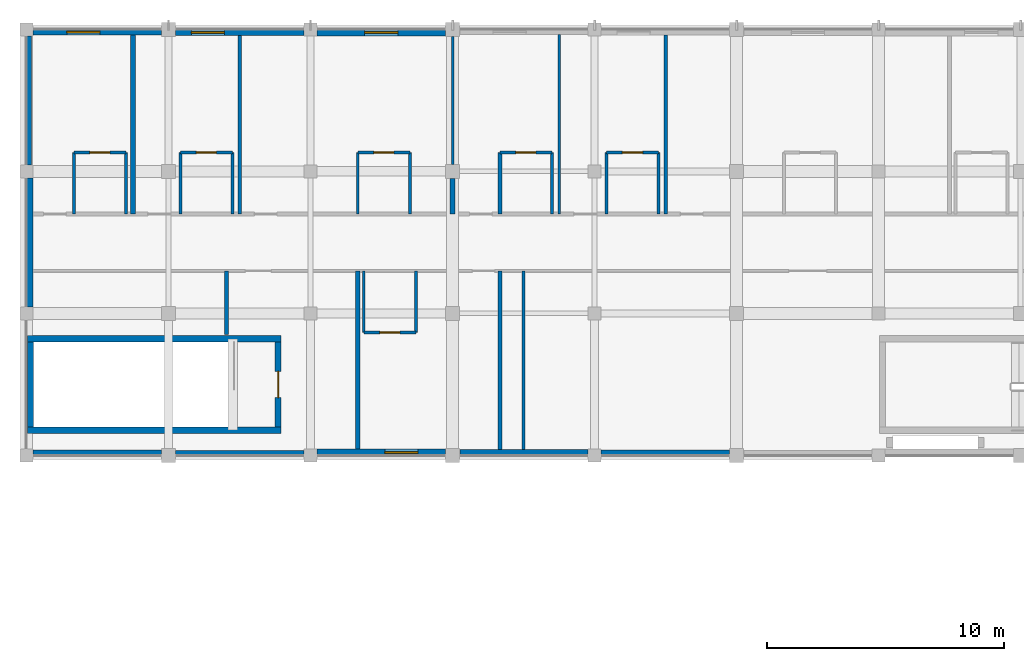
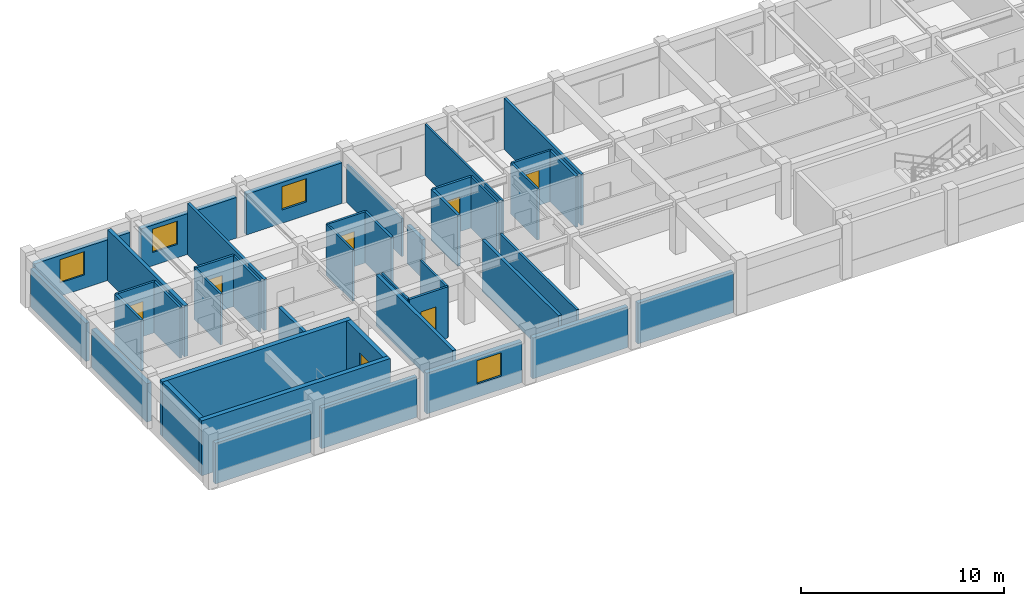
# One storey, part 8 of 21: 42 walls, 7 doors, 4 windows, 11 openings.
"""IFC4 building model written with IfcOpenShell, lengths in metres."""

from ifc_helpers import new_model, si_unit, direction, frame, frame_2d, origin, place, context, subcontext, project, spatial, rectangle, extrude, material, layer, layer_set, type_object, element, fill, save


model = new_model("IFC4")

# Units and contexts
model_context = context("Model", 3, precision=1e-05, world=origin(), true_north=direction((0.0, 1.0)))
body_context = subcontext(model_context, "Body", "Model", "MODEL_VIEW")
ifc_project = project(units=[si_unit("LENGTHUNIT", "METRE"), si_unit("AREAUNIT", "SQUARE_METRE"), si_unit("VOLUMEUNIT", "CUBIC_METRE"), si_unit("PLANEANGLEUNIT", "RADIAN"), si_unit("MASSUNIT", "GRAM", prefix="KILO"), si_unit("THERMODYNAMICTEMPERATUREUNIT", "KELVIN"), si_unit("POWERUNIT", "WATT")], contexts=[model_context])

# Site, building, storey
site_placement = place(None, origin())
site = spatial("IfcSite", under=ifc_project, at=site_placement, CompositionType="ELEMENT")
building_placement = place(site_placement, origin())
building = spatial("IfcBuilding", under=site, at=building_placement, Name="Phaisarnlok Congress Hotel", CompositionType="ELEMENT")
storey_placement = place(building_placement, frame((0.0, 0.0, 34.800048828125)))
storey = spatial("IfcBuildingStorey", under=building, at=storey_placement, Name="L08", CompositionType="ELEMENT", Elevation=34.800048828125)

# Walls
ifc_material_1 = material(Name="Concrete C40/50", Category="concrete")
ifc_layer_1 = layer(ifc_material_1, 0.2099609375, Name="Concrete C40/50")
ifc_layer_set_1 = layer_set([ifc_layer_1], Name="Concrete C40/50")
wall_type_1 = type_object("IfcWallType", Name="WL-EXT-210", PredefinedType="SOLIDWALL", material=ifc_layer_set_1)
wall_1_placement = place(storey_placement, frame((66.10498046875, 125.719970703125, 0.0), z_axis=(0.0, 0.0, 1.0), x_axis=(0.0, -1.0, 0.0)))
element("IfcWall", 1, at=wall_1_placement, inside=storey, type_object=wall_type_1, Name="Exterior wall EW-07 (L08)", PredefinedType="SOLIDWALL", context=body_context, shape_type="SweptSolid", body=[
    extrude(rectangle(XDim=5.43994140625, YDim=0.2099609375, at=frame_2d((2.719970703125, 0.0))), origin(), (0.0, 0.0, 1.0), 2.294921875),
])
wall_2_placement = place(storey_placement, frame((72.304931640625, 108.10498046875, 0.0), z_axis=(0.0, 0.0, 1.0), x_axis=(1.0, 0.0, 0.0)))
element("IfcWall", 2, at=wall_2_placement, inside=storey, type_object=wall_type_1, Name="Exterior wall EW-07 (L08)", PredefinedType="SOLIDWALL", context=body_context, shape_type="SweptSolid", body=[
    extrude(rectangle(XDim=5.4150390625, YDim=0.2099609375, at=frame_2d((2.70751953125, 0.0))), origin(), (0.0, 0.0, 1.0), 2.445068359375),
])

# Wall, opening, window
ifc_layer_2 = layer(ifc_material_1, 0.22998046875, Name="Concrete C40/50")
ifc_layer_set_2 = layer_set([ifc_layer_2], Name="Concrete C40/50")
wall_type_2 = type_object("IfcWallType", Name="WL-EXT-230", PredefinedType="SOLIDWALL", material=ifc_layer_set_2)
wall_3_placement = place(storey_placement, frame((71.695068359375, 125.885009765625, 0.0), z_axis=(0.0, 0.0, 1.0), x_axis=(-1.0, 0.0, 0.0)))
wall_3 = element("IfcWall", 3, at=wall_3_placement, inside=storey, type_object=wall_type_2, Name="Exterior wall EW-06 (L08)", PredefinedType="SOLIDWALL", context=body_context, shape_type="SweptSolid", body=[
    extrude(rectangle(XDim=5.4150390625, YDim=0.22998046875, at=frame_2d((2.70751953125, 0.0))), origin(), (0.0, 0.0, 1.0), 2.445068359375),
])
opening_1_placement = place(wall_3_placement, frame((2.594970703125, 0.0, 0.800048828125)))
opening_1 = element("IfcOpeningElement", 4, at=opening_1_placement, cuts=wall_3, Name="Opening W-13", PredefinedType="OPENING", context=body_context, shape_type="SweptSolid", body=[
    extrude(rectangle(XDim=1.39990234375, YDim=1.39990234375, at=frame_2d((0.699951171875, 0.699951171875))), frame((0.0, 0.125, 0.0), z_axis=(0.0, -1.0, 0.0), x_axis=(1.0, 0.0, 0.0)), (0.0, 0.0, 1.0), 0.25),
])
ifc_material_2 = material(Name="Thermally Broken Aluminium & Low-E Double Glazing", Category="aluminium")
window_type = type_object("IfcWindowType", Name="WIN-POD-1400", PartitioningType="SINGLE_PANEL", PredefinedType="WINDOW", material=ifc_material_2)
window_1_placement = place(opening_1_placement, origin())
window_1 = element("IfcWindow", 5, at=window_1_placement, inside=storey, type_object=window_type, Name="Guestroom window W-13 (L08)", OverallHeight=1.39990234375, OverallWidth=1.39990234375, PartitioningType="SINGLE_PANEL", PredefinedType="WINDOW", context=body_context, shape_type="SweptSolid", body=[
    extrude(rectangle(XDim=1.39990234375, YDim=1.39990234375, at=frame_2d((0.699951171875, 0.699951171875))), frame((0.0, 0.030029296875, 0.0), z_axis=(0.0, -1.0, 0.0), x_axis=(1.0, 0.0, 0.0)), (0.0, 0.0, 1.0), 0.06005859375),
])
fill(opening_1, window_1)

# Walls
for number, where, z_axis, x_axis, name in (
    (6, (66.280029296875, 108.114990234375, 0.0), (0.0, 0.0, 1.0), (1.0, 0.0, 0.0), "Exterior wall EW-06 (L08)"),
    (7, (90.280029296875, 108.114990234375, 0.0), (0.0, 0.0, 1.0), (1.0, 0.0, 0.0), "Exterior wall EW-06 (L08)"),
):
    element("IfcWall", number, at=place(storey_placement, frame(where, z_axis=z_axis, x_axis=x_axis)), inside=storey, type_object=wall_type_2, Name=name, PredefinedType="SOLIDWALL", context=body_context, shape_type="SweptSolid", body=[
        extrude(rectangle(XDim=5.4150390625, YDim=0.22998046875, at=frame_2d((2.70751953125, 0.0))), origin(), (0.0, 0.0, 1.0), 2.445068359375),
    ])

# Wall, opening, window
ifc_layer_3 = layer(ifc_material_1, 0.25, Name="Concrete C40/50")
ifc_layer_set_3 = layer_set([ifc_layer_3], Name="Concrete C40/50")
wall_type_3 = type_object("IfcWallType", Name="WL-EXT-250", PredefinedType="SOLIDWALL", material=ifc_layer_set_3)
wall_4_placement = place(storey_placement, frame((77.719970703125, 125.875, 0.0), z_axis=(0.0, 0.0, 1.0), x_axis=(-1.0, 0.0, 0.0)))
wall_4 = element("IfcWall", 8, at=wall_4_placement, inside=storey, type_object=wall_type_3, Name="Exterior wall EW-05 (L08)", PredefinedType="SOLIDWALL", context=body_context, shape_type="SweptSolid", body=[
    extrude(rectangle(XDim=5.4150390625, YDim=0.25, at=frame_2d((2.70751953125, 0.0))), origin(), (0.0, 0.0, 1.0), 2.445068359375),
])
opening_2_placement = place(wall_4_placement, frame((3.35791015625, 0.0, 0.800048828125)))
opening_2 = element("IfcOpeningElement", 9, at=opening_2_placement, cuts=wall_4, Name="Opening W-13", PredefinedType="OPENING", context=body_context, shape_type="SweptSolid", body=[
    extrude(rectangle(XDim=1.39990234375, YDim=1.39990234375, at=frame_2d((0.699951171875, 0.699951171875))), frame((0.0, 0.135009765625, 0.0), z_axis=(0.0, -1.0, 0.0), x_axis=(1.0, 0.0, 0.0)), (0.0, 0.0, 1.0), 0.27001953125),
])
window_2_placement = place(opening_2_placement, origin())
window_2 = element("IfcWindow", 10, at=window_2_placement, inside=storey, type_object=window_type, Name="Guestroom window W-13 (L08)", OverallHeight=1.39990234375, OverallWidth=1.39990234375, PartitioningType="SINGLE_PANEL", PredefinedType="WINDOW", context=body_context, shape_type="SweptSolid", body=[
    extrude(rectangle(XDim=1.39990234375, YDim=1.39990234375, at=frame_2d((0.699951171875, 0.699951171875))), frame((0.0, 0.030029296875, 0.0), z_axis=(0.0, -1.0, 0.0), x_axis=(1.0, 0.0, 0.0)), (0.0, 0.0, 1.0), 0.06005859375),
])
fill(opening_2, window_2)

# Wall
wall_5_placement = place(storey_placement, frame((84.304931640625, 108.125, 0.0), z_axis=(0.0, 0.0, 1.0), x_axis=(1.0, 0.0, 0.0)))
element("IfcWall", 11, at=wall_5_placement, inside=storey, type_object=wall_type_3, Name="Exterior wall EW-05 (L08)", PredefinedType="SOLIDWALL", context=body_context, shape_type="SweptSolid", body=[
    extrude(rectangle(XDim=5.4150390625, YDim=0.25, at=frame_2d((2.70751953125, 0.0))), origin(), (0.0, 0.0, 1.0), 2.445068359375),
])

# Wall, opening, window
ifc_layer_4 = layer(ifc_material_1, 0.27001953125, Name="Concrete C40/50")
ifc_layer_set_4 = layer_set([ifc_layer_4], Name="Concrete C40/50")
wall_type_4 = type_object("IfcWallType", Name="WL-EXT-270", PredefinedType="SOLIDWALL", material=ifc_layer_set_4)
wall_6_placement = place(storey_placement, frame((83.695068359375, 125.864990234375, 0.0), z_axis=(0.0, 0.0, 1.0), x_axis=(-1.0, 0.0, 0.0)))
wall_6 = element("IfcWall", 12, at=wall_6_placement, inside=storey, type_object=wall_type_4, Name="Exterior wall EW-04 (L08)", PredefinedType="SOLIDWALL", context=body_context, shape_type="SweptSolid", body=[
    extrude(rectangle(XDim=5.4150390625, YDim=0.27001953125, at=frame_2d((2.70751953125, 0.0))), origin(), (0.0, 0.0, 1.0), 2.445068359375),
])
opening_3_placement = place(wall_6_placement, frame((2.007080078125, 0.0, 0.800048828125)))
opening_3 = element("IfcOpeningElement", 13, at=opening_3_placement, cuts=wall_6, Name="Opening W-13", PredefinedType="OPENING", context=body_context, shape_type="SweptSolid", body=[
    extrude(rectangle(XDim=1.39990234375, YDim=1.39990234375, at=frame_2d((0.699951171875, 0.699951171875))), frame((0.0, 0.14501953125, 0.0), z_axis=(0.0, -1.0, 0.0), x_axis=(1.0, 0.0, 0.0)), (0.0, 0.0, 1.0), 0.2900390625),
])
window_3_placement = place(opening_3_placement, origin())
window_3 = element("IfcWindow", 14, at=window_3_placement, inside=storey, type_object=window_type, Name="Guestroom window W-13 (L08)", OverallHeight=1.39990234375, OverallWidth=1.39990234375, PartitioningType="SINGLE_PANEL", PredefinedType="WINDOW", context=body_context, shape_type="SweptSolid", body=[
    extrude(rectangle(XDim=1.39990234375, YDim=1.39990234375, at=frame_2d((0.699951171875, 0.699951171875))), frame((0.0, 0.030029296875, 0.0), z_axis=(0.0, -1.0, 0.0), x_axis=(1.0, 0.0, 0.0)), (0.0, 0.0, 1.0), 0.06005859375),
])
fill(opening_3, window_3)

# Wall
wall_7_placement = place(storey_placement, frame((66.135009765625, 119.719970703125, 0.0), z_axis=(0.0, 0.0, 1.0), x_axis=(0.0, -1.0, 0.0)))
element("IfcWall", 15, at=wall_7_placement, inside=storey, type_object=wall_type_4, Name="Exterior wall EW-04 (L08)", PredefinedType="SOLIDWALL", context=body_context, shape_type="SweptSolid", body=[
    extrude(rectangle(XDim=5.43994140625, YDim=0.27001953125, at=frame_2d((2.719970703125, 0.0))), origin(), (0.0, 0.0, 1.0), 2.294921875),
])

# Wall, opening, window
wall_8_placement = place(storey_placement, frame((78.280029296875, 108.135009765625, 0.0), z_axis=(0.0, 0.0, 1.0), x_axis=(1.0, 0.0, 0.0)))
wall_8 = element("IfcWall", 16, at=wall_8_placement, inside=storey, type_object=wall_type_4, Name="Exterior wall EW-04 (L08)", PredefinedType="SOLIDWALL", context=body_context, shape_type="SweptSolid", body=[
    extrude(rectangle(XDim=5.4150390625, YDim=0.27001953125, at=frame_2d((2.70751953125, 0.0))), origin(), (0.0, 0.0, 1.0), 2.445068359375),
])
opening_4_placement = place(wall_8_placement, frame((2.85791015625, 0.0, 0.800048828125)))
opening_4 = element("IfcOpeningElement", 17, at=opening_4_placement, cuts=wall_8, Name="Opening W-13", PredefinedType="OPENING", context=body_context, shape_type="SweptSolid", body=[
    extrude(rectangle(XDim=1.39990234375, YDim=1.39990234375, at=frame_2d((0.699951171875, 0.699951171875))), frame((0.0, 0.14501953125, 0.0), z_axis=(0.0, -1.0, 0.0), x_axis=(1.0, 0.0, 0.0)), (0.0, 0.0, 1.0), 0.2900390625),
])
window_4_placement = place(opening_4_placement, origin())
window_4 = element("IfcWindow", 18, at=window_4_placement, inside=storey, type_object=window_type, Name="Guestroom window W-13 (L08)", OverallHeight=1.39990234375, OverallWidth=1.39990234375, PartitioningType="SINGLE_PANEL", PredefinedType="WINDOW", context=body_context, shape_type="SweptSolid", body=[
    extrude(rectangle(XDim=1.39990234375, YDim=1.39990234375, at=frame_2d((0.699951171875, 0.699951171875))), frame((0.0, 0.030029296875, 0.0), z_axis=(0.0, -1.0, 0.0), x_axis=(1.0, 0.0, 0.0)), (0.0, 0.0, 1.0), 0.06005859375),
])
fill(opening_4, window_4)

# Walls
ifc_material_3 = material(Name="Service Riser Shaftwall Partition", Category="gypsum")
ifc_layer_5 = layer(ifc_material_3, 0.10498046875, Name="Service Riser Shaftwall Partition")
ifc_layer_set_5 = layer_set([ifc_layer_5], Name="Service Riser Shaftwall Partition")
wall_type_5 = type_object("IfcWallType", Name="WL-INT-105", PredefinedType="PARTITIONING", material=ifc_layer_set_5)
wall_9_placement = place(storey_placement, frame((80.0, 118.199951171875, 0.0), z_axis=(0.0, 0.0, 1.0), x_axis=(0.0, 1.0, 0.0)))
element("IfcWall", 19, at=wall_9_placement, inside=storey, type_object=wall_type_5, Name="Interior partition wall IW-08 (L08)", PredefinedType="PARTITIONING", context=body_context, shape_type="SweptSolid", body=[
    extrude(rectangle(XDim=2.60009765625, YDim=0.10498046875, at=frame_2d((1.300048828125, 0.0))), origin(), (0.0, 0.0, 1.0), 3.070068359375),
])
wall_10_placement = place(storey_placement, frame((84.0, 120.304931640625, 0.0), z_axis=(0.0, 0.0, 1.0), x_axis=(0.0, 1.0, 0.0)))
element("IfcWall", 20, at=wall_10_placement, inside=storey, type_object=wall_type_5, Name="Interior partition wall IW-08 (L08)", PredefinedType="PARTITIONING", context=body_context, shape_type="SweptSolid", body=[
    extrude(rectangle(XDim=5.39013671875, YDim=0.10498046875, at=frame_2d((2.695068359375, 0.0))), origin(), (0.0, 0.0, 1.0), 2.294921875),
])
wall_11_placement = place(storey_placement, frame((88.5, 118.199951171875, 0.0), z_axis=(0.0, 0.0, 1.0), x_axis=(0.0, 1.0, 0.0)))
element("IfcWall", 21, at=wall_11_placement, inside=storey, type_object=wall_type_5, Name="Interior partition wall IW-08 (L08)", PredefinedType="PARTITIONING", context=body_context, shape_type="SweptSolid", body=[
    extrude(rectangle(XDim=7.5849609375, YDim=0.10498046875, at=frame_2d((3.79248046875, 0.0))), origin(), (0.0, 0.0, 1.0), 3.070068359375),
])
ifc_material_4 = material(Name="Lightweight Metal-Stud Gypsum Partition", Category="gypsum")
ifc_layer_6 = layer(ifc_material_4, 0.1201171875, Name="Lightweight Metal-Stud Gypsum Partition")
ifc_layer_set_6 = layer_set([ifc_layer_6], Name="Lightweight Metal-Stud Gypsum Partition")
wall_type_6 = type_object("IfcWallType", Name="WL-INT-120", PredefinedType="PARTITIONING", material=ifc_layer_set_6)
for number, where, z_axis, x_axis, name in (
    (22, (70.199951171875, 118.199951171875, 0.0), (0.0, 0.0, 1.0), (0.0, 1.0, 0.0), "Interior partition wall IW-07 (L08)"),
    (23, (72.5, 118.199951171875, 0.0), (0.0, 0.0, 1.0), (0.0, 1.0, 0.0), "Interior partition wall IW-07 (L08)"),
    (24, (74.699951171875, 118.199951171875, 0.0), (0.0, 0.0, 1.0), (0.0, 1.0, 0.0), "Interior partition wall IW-07 (L08)"),
    (25, (80.25, 113.199951171875, 0.0), (0.0, 0.0, 1.0), (0.0, 1.0, 0.0), "Interior partition wall IW-07 (L08)"),
    (26, (82.449951171875, 113.199951171875, 0.0), (0.0, 0.0, 1.0), (0.0, 1.0, 0.0), "Interior partition wall IW-07 (L08)"),
    (27, (88.199951171875, 118.199951171875, 0.0), (0.0, 0.0, 1.0), (0.0, 1.0, 0.0), "Interior partition wall IW-07 (L08)"),
    (28, (90.5, 118.199951171875, 0.0), (0.0, 0.0, 1.0), (0.0, 1.0, 0.0), "Interior partition wall IW-07 (L08)"),
):
    element("IfcWall", number, at=place(storey_placement, frame(where, z_axis=z_axis, x_axis=x_axis)), inside=storey, type_object=wall_type_6, Name=name, PredefinedType="PARTITIONING", context=body_context, shape_type="SweptSolid", body=[
        extrude(rectangle(XDim=2.60009765625, YDim=0.1201171875, at=frame_2d((1.300048828125, 0.0))), origin(), (0.0, 0.0, 1.0), 3.070068359375),
    ])

# Wall, opening, door
wall_12_placement = place(storey_placement, frame((68.0, 120.800048828125, 0.0), z_axis=(0.0, 0.0, 1.0), x_axis=(1.0, 0.0, 0.0)))
wall_12 = element("IfcWall", 29, at=wall_12_placement, inside=storey, type_object=wall_type_6, Name="Interior partition wall IW-07 (L08)", PredefinedType="PARTITIONING", context=body_context, shape_type="SweptSolid", body=[
    extrude(rectangle(XDim=2.199951171875, YDim=0.1201171875, at=frame_2d((1.10009765625, 0.0))), origin(), (0.0, 0.0, 1.0), 3.070068359375),
])
opening_5_placement = place(wall_12_placement, frame((0.675048828125, 0.0, 0.0)))
opening_5 = element("IfcOpeningElement", 30, at=opening_5_placement, cuts=wall_12, Name="Opening D-0405", PredefinedType="OPENING", context=body_context, shape_type="SweptSolid", body=[
    extrude(rectangle(XDim=0.85009765625, YDim=2.10009765625, at=frame_2d((0.425048828125, 1.050048828125))), frame((0.0, 0.070068359375, 0.0), z_axis=(0.0, -1.0, 0.0), x_axis=(1.0, 0.0, 0.0)), (0.0, 0.0, 1.0), 0.14013671875),
])
ifc_material_5 = material(Name="Moisture-Resistant Lacquered Timber", Category="wood")
door_type_1 = type_object("IfcDoorType", Name="DR-BATH-850", OperationType="NOTDEFINED", PredefinedType="DOOR", material=ifc_material_5)
door_1_placement = place(opening_5_placement, origin())
door_1 = element("IfcDoor", 31, at=door_1_placement, inside=storey, type_object=door_type_1, Name="Interior door D-0405 (L08)", OperationType="SINGLE_SWING_RIGHT", OverallHeight=2.10009765625, OverallWidth=0.85009765625, PredefinedType="DOOR", context=body_context, shape_type="SweptSolid", body=[
    extrude(rectangle(XDim=0.85009765625, YDim=2.10009765625, at=frame_2d((0.425048828125, 1.050048828125))), frame((0.0, 0.02490234375, 0.0), z_axis=(0.0, -1.0, 0.0), x_axis=(1.0, 0.0, 0.0)), (0.0, 0.0, 1.0), 0.050048828125),
])
fill(opening_5, door_1)

wall_13_placement = place(storey_placement, frame((80.0, 120.800048828125, 0.0), z_axis=(0.0, 0.0, 1.0), x_axis=(1.0, 0.0, 0.0)))
wall_13 = element("IfcWall", 32, at=wall_13_placement, inside=storey, type_object=wall_type_6, Name="Interior partition wall IW-07 (L08)", PredefinedType="PARTITIONING", context=body_context, shape_type="SweptSolid", body=[
    extrude(rectangle(XDim=2.199951171875, YDim=0.1201171875, at=frame_2d((1.10009765625, 0.0))), origin(), (0.0, 0.0, 1.0), 3.070068359375),
])
opening_6_placement = place(wall_13_placement, frame((0.675048828125, 0.0, 0.0)))
opening_6 = element("IfcOpeningElement", 33, at=opening_6_placement, cuts=wall_13, Name="Opening D-0409", PredefinedType="OPENING", context=body_context, shape_type="SweptSolid", body=[
    extrude(rectangle(XDim=0.85009765625, YDim=2.10009765625, at=frame_2d((0.425048828125, 1.050048828125))), frame((0.0, 0.070068359375, 0.0), z_axis=(0.0, -1.0, 0.0), x_axis=(1.0, 0.0, 0.0)), (0.0, 0.0, 1.0), 0.14013671875),
])
door_2_placement = place(opening_6_placement, origin())
door_2 = element("IfcDoor", 34, at=door_2_placement, inside=storey, type_object=door_type_1, Name="Interior door D-0409 (L08)", OperationType="SINGLE_SWING_RIGHT", OverallHeight=2.10009765625, OverallWidth=0.85009765625, PredefinedType="DOOR", context=body_context, shape_type="SweptSolid", body=[
    extrude(rectangle(XDim=0.85009765625, YDim=2.10009765625, at=frame_2d((0.425048828125, 1.050048828125))), frame((0.0, 0.02490234375, 0.0), z_axis=(0.0, -1.0, 0.0), x_axis=(1.0, 0.0, 0.0)), (0.0, 0.0, 1.0), 0.050048828125),
])
fill(opening_6, door_2)

wall_14_placement = place(storey_placement, frame((90.5, 120.800048828125, 0.0), z_axis=(0.0, 0.0, 1.0), x_axis=(1.0, 0.0, 0.0)))
wall_14 = element("IfcWall", 35, at=wall_14_placement, inside=storey, type_object=wall_type_6, Name="Interior partition wall IW-07 (L08)", PredefinedType="PARTITIONING", context=body_context, shape_type="SweptSolid", body=[
    extrude(rectangle(XDim=2.199951171875, YDim=0.1201171875, at=frame_2d((1.10009765625, 0.0))), origin(), (0.0, 0.0, 1.0), 3.070068359375),
])
opening_7_placement = place(wall_14_placement, frame((0.675048828125, 0.0, 0.0)))
opening_7 = element("IfcOpeningElement", 36, at=opening_7_placement, cuts=wall_14, Name="Opening D-0413", PredefinedType="OPENING", context=body_context, shape_type="SweptSolid", body=[
    extrude(rectangle(XDim=0.85009765625, YDim=2.10009765625, at=frame_2d((0.425048828125, 1.050048828125))), frame((0.0, 0.070068359375, 0.0), z_axis=(0.0, -1.0, 0.0), x_axis=(1.0, 0.0, 0.0)), (0.0, 0.0, 1.0), 0.14013671875),
])
door_3_placement = place(opening_7_placement, origin())
door_3 = element("IfcDoor", 37, at=door_3_placement, inside=storey, type_object=door_type_1, Name="Interior door D-0413 (L08)", OperationType="SINGLE_SWING_RIGHT", OverallHeight=2.10009765625, OverallWidth=0.85009765625, PredefinedType="DOOR", context=body_context, shape_type="SweptSolid", body=[
    extrude(rectangle(XDim=0.85009765625, YDim=2.10009765625, at=frame_2d((0.425048828125, 1.050048828125))), frame((0.0, 0.02490234375, 0.0), z_axis=(0.0, -1.0, 0.0), x_axis=(1.0, 0.0, 0.0)), (0.0, 0.0, 1.0), 0.050048828125),
])
fill(opening_7, door_3)

# Walls
ifc_material_6 = material(Name="Moisture-Resistant Gypsum Partition", Category="gypsum")
ifc_layer_7 = layer(ifc_material_6, 0.135009765625, Name="Moisture-Resistant Gypsum Partition")
ifc_layer_set_7 = layer_set([ifc_layer_7], Name="Moisture-Resistant Gypsum Partition")
wall_type_7 = type_object("IfcWallType", Name="WL-INT-135", PredefinedType="PARTITIONING", material=ifc_layer_set_7)
for number, where, z_axis, x_axis, name in (
    (38, (68.0, 118.199951171875, 0.0), (0.0, 0.0, 1.0), (0.0, 1.0, 0.0), "Interior partition wall IW-06 (L08)"),
    (39, (82.199951171875, 118.199951171875, 0.0), (0.0, 0.0, 1.0), (0.0, 1.0, 0.0), "Interior partition wall IW-06 (L08)"),
):
    element("IfcWall", number, at=place(storey_placement, frame(where, z_axis=z_axis, x_axis=x_axis)), inside=storey, type_object=wall_type_7, Name=name, PredefinedType="PARTITIONING", context=body_context, shape_type="SweptSolid", body=[
        extrude(rectangle(XDim=2.60009765625, YDim=0.135009765625, at=frame_2d((1.300048828125, 0.0))), origin(), (0.0, 0.0, 1.0), 3.070068359375),
    ])
wall_15_placement = place(storey_placement, frame((87.0, 108.2548828125, 0.0), z_axis=(0.0, 0.0, 1.0), x_axis=(0.0, 1.0, 0.0)))
element("IfcWall", 40, at=wall_15_placement, inside=storey, type_object=wall_type_7, Name="Interior partition wall IW-06 (L08)", PredefinedType="PARTITIONING", context=body_context, shape_type="SweptSolid", body=[
    extrude(rectangle(XDim=7.545166015625, YDim=0.135009765625, at=frame_2d((3.7724609375, 0.0))), origin(), (0.0, 0.0, 1.0), 3.070068359375),
])
wall_16_placement = place(storey_placement, frame((92.699951171875, 118.199951171875, 0.0), z_axis=(0.0, 0.0, 1.0), x_axis=(0.0, 1.0, 0.0)))
element("IfcWall", 41, at=wall_16_placement, inside=storey, type_object=wall_type_7, Name="Interior partition wall IW-06 (L08)", PredefinedType="PARTITIONING", context=body_context, shape_type="SweptSolid", body=[
    extrude(rectangle(XDim=2.60009765625, YDim=0.135009765625, at=frame_2d((1.300048828125, 0.0))), origin(), (0.0, 0.0, 1.0), 3.070068359375),
])

# Wall, opening, door
wall_17_placement = place(storey_placement, frame((80.25, 113.199951171875, 0.0), z_axis=(0.0, 0.0, 1.0), x_axis=(1.0, 0.0, 0.0)))
wall_17 = element("IfcWall", 42, at=wall_17_placement, inside=storey, type_object=wall_type_7, Name="Interior partition wall IW-06 (L08)", PredefinedType="PARTITIONING", context=body_context, shape_type="SweptSolid", body=[
    extrude(rectangle(XDim=2.199951171875, YDim=0.135009765625, at=frame_2d((1.10009765625, 0.0))), origin(), (0.0, 0.0, 1.0), 3.070068359375),
])
opening_8_placement = place(wall_17_placement, frame((0.675048828125, 0.0, 0.0)))
opening_8 = element("IfcOpeningElement", 43, at=opening_8_placement, cuts=wall_17, Name="Opening D-0443", PredefinedType="OPENING", context=body_context, shape_type="SweptSolid", body=[
    extrude(rectangle(XDim=0.85009765625, YDim=2.10009765625, at=frame_2d((0.425048828125, 1.050048828125))), frame((0.0, 0.07763671875, 0.0), z_axis=(0.0, -1.0, 0.0), x_axis=(1.0, 0.0, 0.0)), (0.0, 0.0, 1.0), 0.155029296875),
])
door_4_placement = place(opening_8_placement, origin())
door_4 = element("IfcDoor", 44, at=door_4_placement, inside=storey, type_object=door_type_1, Name="Interior door D-0443 (L08)", OperationType="SINGLE_SWING_RIGHT", OverallHeight=2.10009765625, OverallWidth=0.85009765625, PredefinedType="DOOR", context=body_context, shape_type="SweptSolid", body=[
    extrude(rectangle(XDim=0.85009765625, YDim=2.10009765625, at=frame_2d((0.425048828125, 1.050048828125))), frame((0.0, 0.02490234375, 0.0), z_axis=(0.0, -1.0, 0.0), x_axis=(1.0, 0.0, 0.0)), (0.0, 0.0, 1.0), 0.050048828125),
])
fill(opening_8, door_4)

wall_18_placement = place(storey_placement, frame((72.5, 120.800048828125, 0.0), z_axis=(0.0, 0.0, 1.0), x_axis=(1.0, 0.0, 0.0)))
wall_18 = element("IfcWall", 45, at=wall_18_placement, inside=storey, type_object=wall_type_7, Name="Interior partition wall IW-06 (L08)", PredefinedType="PARTITIONING", context=body_context, shape_type="SweptSolid", body=[
    extrude(rectangle(XDim=2.199951171875, YDim=0.135009765625, at=frame_2d((1.10009765625, 0.0))), origin(), (0.0, 0.0, 1.0), 3.070068359375),
])
opening_9_placement = place(wall_18_placement, frame((0.675048828125, 0.0, 0.0)))
opening_9 = element("IfcOpeningElement", 46, at=opening_9_placement, cuts=wall_18, Name="Opening D-0407", PredefinedType="OPENING", context=body_context, shape_type="SweptSolid", body=[
    extrude(rectangle(XDim=0.85009765625, YDim=2.10009765625, at=frame_2d((0.425048828125, 1.050048828125))), frame((0.0, 0.07763671875, 0.0), z_axis=(0.0, -1.0, 0.0), x_axis=(1.0, 0.0, 0.0)), (0.0, 0.0, 1.0), 0.155029296875),
])
door_5_placement = place(opening_9_placement, origin())
door_5 = element("IfcDoor", 47, at=door_5_placement, inside=storey, type_object=door_type_1, Name="Interior door D-0407 (L08)", OperationType="SINGLE_SWING_RIGHT", OverallHeight=2.10009765625, OverallWidth=0.85009765625, PredefinedType="DOOR", context=body_context, shape_type="SweptSolid", body=[
    extrude(rectangle(XDim=0.85009765625, YDim=2.10009765625, at=frame_2d((0.425048828125, 1.050048828125))), frame((0.0, 0.02490234375, 0.0), z_axis=(0.0, -1.0, 0.0), x_axis=(1.0, 0.0, 0.0)), (0.0, 0.0, 1.0), 0.050048828125),
])
fill(opening_9, door_5)

wall_19_placement = place(storey_placement, frame((86.0, 120.800048828125, 0.0), z_axis=(0.0, 0.0, 1.0), x_axis=(1.0, 0.0, 0.0)))
wall_19 = element("IfcWall", 48, at=wall_19_placement, inside=storey, type_object=wall_type_7, Name="Interior partition wall IW-06 (L08)", PredefinedType="PARTITIONING", context=body_context, shape_type="SweptSolid", body=[
    extrude(rectangle(XDim=2.199951171875, YDim=0.135009765625, at=frame_2d((1.10009765625, 0.0))), origin(), (0.0, 0.0, 1.0), 3.070068359375),
])
opening_10_placement = place(wall_19_placement, frame((0.675048828125, 0.0, 0.0)))
opening_10 = element("IfcOpeningElement", 49, at=opening_10_placement, cuts=wall_19, Name="Opening D-0411", PredefinedType="OPENING", context=body_context, shape_type="SweptSolid", body=[
    extrude(rectangle(XDim=0.85009765625, YDim=2.10009765625, at=frame_2d((0.425048828125, 1.050048828125))), frame((0.0, 0.07763671875, 0.0), z_axis=(0.0, -1.0, 0.0), x_axis=(1.0, 0.0, 0.0)), (0.0, 0.0, 1.0), 0.155029296875),
])
door_6_placement = place(opening_10_placement, origin())
door_6 = element("IfcDoor", 50, at=door_6_placement, inside=storey, type_object=door_type_1, Name="Interior door D-0411 (L08)", OperationType="SINGLE_SWING_RIGHT", OverallHeight=2.10009765625, OverallWidth=0.85009765625, PredefinedType="DOOR", context=body_context, shape_type="SweptSolid", body=[
    extrude(rectangle(XDim=0.85009765625, YDim=2.10009765625, at=frame_2d((0.425048828125, 1.050048828125))), frame((0.0, 0.02490234375, 0.0), z_axis=(0.0, -1.0, 0.0), x_axis=(1.0, 0.0, 0.0)), (0.0, 0.0, 1.0), 0.050048828125),
])
fill(opening_10, door_6)

# Walls
ifc_material_7 = material(Name="Acoustic Gypsum Board & Mineral Wool", Category="gypsum")
ifc_layer_8 = layer(ifc_material_7, 0.14990234375, Name="Acoustic Gypsum Board & Mineral Wool")
ifc_layer_set_8 = layer_set([ifc_layer_8], Name="Acoustic Gypsum Board & Mineral Wool")
wall_type_8 = type_object("IfcWallType", Name="WL-INT-150", PredefinedType="PARTITIONING", material=ifc_layer_set_8)
wall_20_placement = place(storey_placement, frame((75.0, 118.199951171875, 0.0), z_axis=(0.0, 0.0, 1.0), x_axis=(0.0, 1.0, 0.0)))
element("IfcWall", 51, at=wall_20_placement, inside=storey, type_object=wall_type_8, Name="Interior partition wall IW-05 (L08)", PredefinedType="PARTITIONING", context=body_context, shape_type="SweptSolid", body=[
    extrude(rectangle(XDim=7.545166015625, YDim=0.14990234375, at=frame_2d((3.7724609375, 0.0))), origin(), (0.0, 0.0, 1.0), 3.070068359375),
])
wall_21_placement = place(storey_placement, frame((93.0, 118.199951171875, 0.0), z_axis=(0.0, 0.0, 1.0), x_axis=(0.0, 1.0, 0.0)))
element("IfcWall", 52, at=wall_21_placement, inside=storey, type_object=wall_type_8, Name="Interior partition wall IW-05 (L08)", PredefinedType="PARTITIONING", context=body_context, shape_type="SweptSolid", body=[
    extrude(rectangle(XDim=7.56494140625, YDim=0.14990234375, at=frame_2d((3.782470703125, 0.0))), origin(), (0.0, 0.0, 1.0), 3.070068359375),
])
ifc_material_8 = material(Name="Double-Stud Acoustic Gypsum Partition", Category="gypsum")
ifc_layer_9 = layer(ifc_material_8, 0.159912109375, Name="Double-Stud Acoustic Gypsum Partition")
ifc_layer_set_9 = layer_set([ifc_layer_9], Name="Double-Stud Acoustic Gypsum Partition")
wall_type_9 = type_object("IfcWallType", Name="WL-INT-160", PredefinedType="PARTITIONING", material=ifc_layer_set_9)
wall_22_placement = place(storey_placement, frame((86.0, 118.199951171875, 0.0), z_axis=(0.0, 0.0, 1.0), x_axis=(0.0, 1.0, 0.0)))
element("IfcWall", 53, at=wall_22_placement, inside=storey, type_object=wall_type_9, Name="Interior partition wall IW-04 (L08)", PredefinedType="PARTITIONING", context=body_context, shape_type="SweptSolid", body=[
    extrude(rectangle(XDim=2.60009765625, YDim=0.159912109375, at=frame_2d((1.300048828125, 0.0))), origin(), (0.0, 0.0, 1.0), 3.070068359375),
])
ifc_material_9 = material(Name="Autoclaved Aerated Concrete Block", Category="concrete")
ifc_layer_10 = layer(ifc_material_9, 0.179931640625, Name="Autoclaved Aerated Concrete Block")
ifc_layer_set_10 = layer_set([ifc_layer_10], Name="Autoclaved Aerated Concrete Block")
wall_type_10 = type_object("IfcWallType", Name="WL-INT-180", PredefinedType="PARTITIONING", material=ifc_layer_set_10)
wall_23_placement = place(storey_placement, frame((74.449951171875, 113.1201171875, 0.0), z_axis=(0.0, 0.0, 1.0), x_axis=(0.0, 1.0, 0.0)))
element("IfcWall", 54, at=wall_23_placement, inside=storey, type_object=wall_type_10, Name="Interior partition wall IW-03 (L08)", PredefinedType="PARTITIONING", context=body_context, shape_type="SweptSolid", body=[
    extrude(rectangle(XDim=2.679931640625, YDim=0.179931640625, at=frame_2d((1.33984375, 0.0))), origin(), (0.0, 0.0, 1.0), 3.070068359375),
])
wall_24_placement = place(storey_placement, frame((86.0, 108.2548828125, 0.0), z_axis=(0.0, 0.0, 1.0), x_axis=(0.0, 1.0, 0.0)))
element("IfcWall", 55, at=wall_24_placement, inside=storey, type_object=wall_type_10, Name="Interior partition wall IW-03 (L08)", PredefinedType="PARTITIONING", context=body_context, shape_type="SweptSolid", body=[
    extrude(rectangle(XDim=7.545166015625, YDim=0.179931640625, at=frame_2d((3.7724609375, 0.0))), origin(), (0.0, 0.0, 1.0), 3.070068359375),
])
ifc_layer_11 = layer(ifc_material_9, 0.199951171875, Name="Autoclaved Aerated Concrete Block")
ifc_layer_set_11 = layer_set([ifc_layer_11], Name="Autoclaved Aerated Concrete Block")
wall_type_11 = type_object("IfcWallType", Name="WL-INT-200", PredefinedType="PARTITIONING", material=ifc_layer_set_11)
wall_25_placement = place(storey_placement, frame((70.5, 118.199951171875, 0.0), z_axis=(0.0, 0.0, 1.0), x_axis=(0.0, 1.0, 0.0)))
element("IfcWall", 56, at=wall_25_placement, inside=storey, type_object=wall_type_11, Name="Interior partition wall IW-02 (L08)", PredefinedType="PARTITIONING", context=body_context, shape_type="SweptSolid", body=[
    extrude(rectangle(XDim=7.56494140625, YDim=0.199951171875, at=frame_2d((3.782470703125, 0.0))), origin(), (0.0, 0.0, 1.0), 3.070068359375),
])
wall_26_placement = place(storey_placement, frame((80.0, 108.27490234375, 0.0), z_axis=(0.0, 0.0, 1.0), x_axis=(0.0, 1.0, 0.0)))
element("IfcWall", 57, at=wall_26_placement, inside=storey, type_object=wall_type_11, Name="Interior partition wall IW-02 (L08)", PredefinedType="PARTITIONING", context=body_context, shape_type="SweptSolid", body=[
    extrude(rectangle(XDim=7.525146484375, YDim=0.199951171875, at=frame_2d((3.7626953125, 0.0))), origin(), (0.0, 0.0, 1.0), 3.070068359375),
])
wall_27_placement = place(storey_placement, frame((84.0, 118.199951171875, 0.0), z_axis=(0.0, 0.0, 1.0), x_axis=(0.0, 1.0, 0.0)))
element("IfcWall", 58, at=wall_27_placement, inside=storey, type_object=wall_type_11, Name="Interior partition wall IW-02 (L08)", PredefinedType="PARTITIONING", context=body_context, shape_type="SweptSolid", body=[
    extrude(rectangle(XDim=1.4951171875, YDim=0.199951171875, at=frame_2d((0.74755859375, 0.0))), origin(), (0.0, 0.0, 1.0), 2.294921875),
])
ifc_material_10 = material(Name="Concrete C50/60", Category="concrete")
ifc_layer_12 = layer(ifc_material_10, 0.260009765625, Name="Concrete C50/60")
ifc_layer_set_12 = layer_set([ifc_layer_12], Name="Concrete C50/60")
wall_type_12 = type_object("IfcWallType", Name="WL-SHR-260", PredefinedType="SHEAR", material=ifc_layer_set_12)
for number, where, z_axis, x_axis, name in (
    (59, (66.0400390625, 109.070068359375, 0.0), (0.0, 0.0, 1.0), (1.0, 0.0, 0.0), "Stair shaft shear wall SW-04 (STAIR-HW L08)"),
    (60, (66.0400390625, 112.929931640625, 0.0), (0.0, 0.0, 1.0), (1.0, 0.0, 0.0), "Stair shaft shear wall SW-04 (STAIR-HW L08)"),
):
    element("IfcWall", number, at=place(storey_placement, frame(where, z_axis=z_axis, x_axis=x_axis)), inside=storey, type_object=wall_type_12, Name=name, PredefinedType="SHEAR", context=body_context, shape_type="SweptSolid", body=[
        extrude(rectangle(XDim=10.719970703125, YDim=0.260009765625, at=frame_2d((5.35986328125, 0.0))), origin(), (0.0, 0.0, 1.0), 3.300048828125),
    ])

# Wall, opening, door
wall_28_placement = place(storey_placement, frame((76.6298828125, 109.199951171875, 0.0), z_axis=(0.0, 0.0, 1.0), x_axis=(0.0, 1.0, 0.0)))
wall_28 = element("IfcWall", 61, at=wall_28_placement, inside=storey, type_object=wall_type_12, Name="Stair shaft shear wall SW-04 (STAIR-HW L08)", PredefinedType="SHEAR", context=body_context, shape_type="SweptSolid", body=[
    extrude(rectangle(XDim=3.60009765625, YDim=0.260009765625, at=frame_2d((1.800048828125, 0.0))), origin(), (0.0, 0.0, 1.0), 3.300048828125),
])
opening_11_placement = place(wall_28_placement, frame((1.25, 0.0, 0.0)))
opening_11 = element("IfcOpeningElement", 62, at=opening_11_placement, cuts=wall_28, Name="Opening FD-154", PredefinedType="OPENING", context=body_context, shape_type="SweptSolid", body=[
    extrude(rectangle(XDim=1.10009765625, YDim=2.14990234375, at=frame_2d((0.550048828125, 1.074951171875))), frame((0.0, 0.14013671875, 0.0), z_axis=(0.0, -1.0, 0.0), x_axis=(1.0, 0.0, 0.0)), (0.0, 0.0, 1.0), 0.280029296875),
])
ifc_material_11 = material(Name="Fire-Rated Steel Frame & Timber Leaf", Category="steel")
door_type_2 = type_object("IfcDoorType", Name="DR-FD60-1100", OperationType="NOTDEFINED", PredefinedType="DOOR", material=ifc_material_11)
door_7_placement = place(opening_11_placement, origin())
door_7 = element("IfcDoor", 63, at=door_7_placement, inside=storey, type_object=door_type_2, Name="Stair enclosure fire door FD-154 (L08)", OperationType="SINGLE_SWING_LEFT", OverallHeight=2.14990234375, OverallWidth=1.10009765625, PredefinedType="DOOR", context=body_context, shape_type="SweptSolid", body=[
    extrude(rectangle(XDim=1.10009765625, YDim=2.14990234375, at=frame_2d((0.550048828125, 1.074951171875))), frame((0.0, 0.02490234375, 0.0), z_axis=(0.0, -1.0, 0.0), x_axis=(1.0, 0.0, 0.0)), (0.0, 0.0, 1.0), 0.050048828125),
])
fill(opening_11, door_7)

# Wall
ifc_layer_13 = layer(ifc_material_10, 0.260009765625, Name="Concrete C50/60")
ifc_layer_set_13 = layer_set([ifc_layer_13], Name="Concrete C50/60")
wall_type_13 = type_object("IfcWallType", Name="WL-SHR-260-EXT", PredefinedType="SHEAR", material=ifc_layer_set_13)
wall_29_placement = place(storey_placement, frame((66.169921875, 109.199951171875, 0.0), z_axis=(0.0, 0.0, 1.0), x_axis=(0.0, 1.0, 0.0)))
element("IfcWall", 64, at=wall_29_placement, inside=storey, type_object=wall_type_13, Name="Stair shaft shear wall SW-04E (STAIR-HW L08)", PredefinedType="SHEAR", context=body_context, shape_type="SweptSolid", body=[
    extrude(rectangle(XDim=3.60009765625, YDim=0.260009765625, at=frame_2d((1.800048828125, 0.0))), origin(), (0.0, 0.0, 1.0), 3.300048828125),
])

save(model, "model.ifc")
